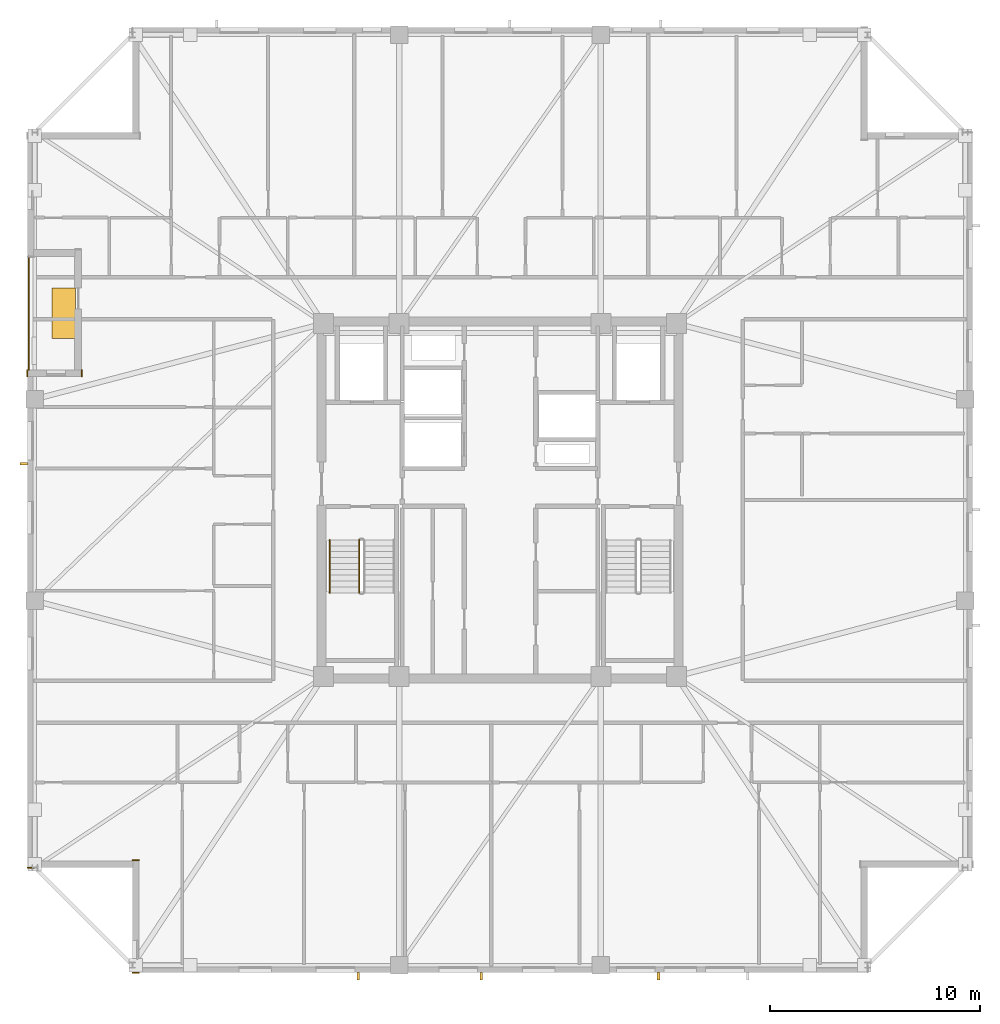
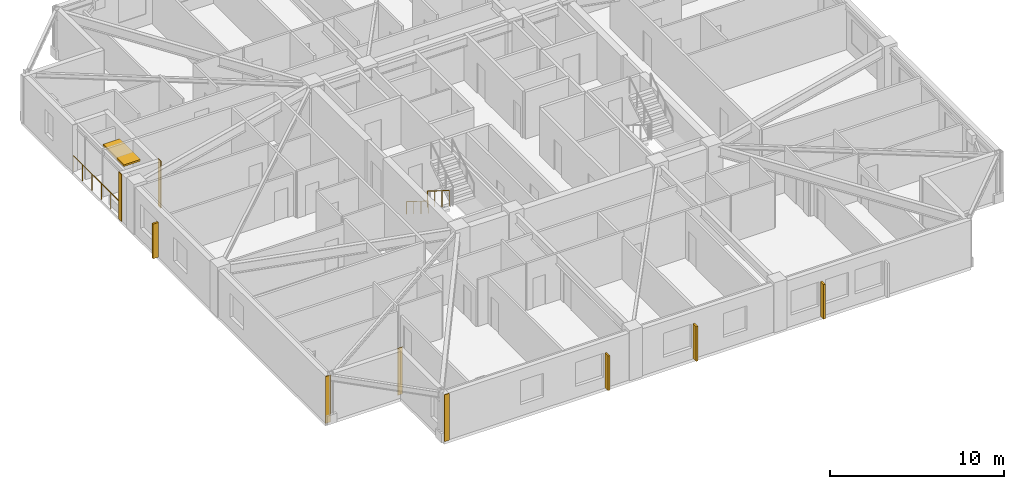
# One storey, part 13 of 17: 5 coverings, 5 shading devices, 3 railings.
"""IFC4 building model written with IfcOpenShell, lengths in metres."""

from ifc_helpers import new_model, si_unit, direction, frame, frame_2d, origin, origin_2d, place, context, subcontext, project, spatial, rectangle, circle, extrude, material, layer, layer_set, type_object, element, save


model = new_model("IFC4")

# Units and contexts
model_context = context("Model", 3, precision=1e-05, world=origin(), true_north=direction((0.0, 1.0)))
body_context = subcontext(model_context, "Body", "Model", "MODEL_VIEW")
ifc_project = project(units=[si_unit("LENGTHUNIT", "METRE"), si_unit("AREAUNIT", "SQUARE_METRE"), si_unit("VOLUMEUNIT", "CUBIC_METRE"), si_unit("PLANEANGLEUNIT", "RADIAN"), si_unit("MASSUNIT", "GRAM", prefix="KILO")], contexts=[model_context])

# Site, building, storey
site_placement = place(None, origin())
site = spatial("IfcSite", under=ifc_project, at=site_placement, CompositionType="ELEMENT")
building_placement = place(site_placement, origin())
building = spatial("IfcBuilding", under=site, at=building_placement, Name="Cairnveth Concourse Tower", CompositionType="ELEMENT")
storey_placement = place(building_placement, frame((0.0, 0.0, 230.5)))
storey = spatial("IfcBuildingStorey", under=building, at=storey_placement, Name="L63", CompositionType="ELEMENT", Elevation=230.5)

# Coverings
ifc_material_1 = material(Name="Dressed Melbourne Bluestone Cladding", Category="masonry")
ifc_layer = layer(ifc_material_1, 0.050048828125)
ifc_layer_set = layer_set([ifc_layer], Name="Dressed Melbourne Bluestone Cladding")
covering_type = type_object("IfcCoveringType", Name="DRESSED BLUESTONE PLINTH CLADDING 50", PredefinedType="CLADDING", material=ifc_layer_set)
for number, where, z_axis, x_axis, name in (
    (1, (34.820068359375, 16.47998046875, 0.0), (0.0, 0.0, 1.0), (-1.0, 0.0, 0.0), "Melbourne Bluestone Corner Quoin L63-953"),
    (2, (34.820068359375, 21.840087890625, 0.0), (0.0, 0.0, 1.0), (-1.0, 0.0, 0.0), "Melbourne Bluestone Corner Quoin L63-954"),
    (3, (29.820068359375, 21.47998046875, 0.0), (0.0, 0.0, 1.0), (-1.0, 0.0, 0.0), "Melbourne Bluestone Corner Quoin L63-955"),
    (4, (29.47998046875, 44.8798828125, 0.0), (0.0, 0.0, 1.0), (0.0, 1.0, 0.0), "Melbourne Bluestone Corner Quoin L63-956"),
    (5, (32.090087890625, 44.8798828125, 0.0), (0.0, 0.0, 1.0), (0.0, 1.0, 0.0), "Melbourne Bluestone Corner Quoin L63-957"),
):
    element("IfcCovering", number, at=place(storey_placement, frame(where, z_axis=z_axis, x_axis=x_axis)), inside=storey, type_object=covering_type, Name=name, PredefinedType="CLADDING", context=body_context, shape_type="SweptSolid", body=[
        extrude(rectangle(XDim=0.320068359375, YDim=0.050048828125, at=frame_2d((0.16015625, 0.0))), origin(), (0.0, 0.0, 1.0), 3.2900390625),
    ])

# Shading devices
ifc_material_2 = material(Name="Architectural Bronze Anodised Aluminium 6063-T6", Category="aluminium")
shading_device_type_1 = type_object("IfcShadingDeviceType", Name="GOTHIC BRONZE VERTICAL LANCET FIN", PredefinedType="USERDEFINED", material=ifc_material_2)
for number, where, z_axis, x_axis, name in (
    (6, (59.546875, 16.324951171875, 0.030029296875), (0.0, 0.0, 1.0), (1.0, 0.0, 0.0), "Gothic Bronze Vertical Fin L63-9-3"),
    (7, (51.096435546875, 16.324951171875, 0.030029296875), (0.0, 0.0, 1.0), (1.0, 0.0, 0.0), "Gothic Bronze Vertical Fin L63-9-5"),
    (8, (45.245849609375, 16.324951171875, 0.030029296875), (0.0, 0.0, 1.0), (1.0, 0.0, 0.0), "Gothic Bronze Vertical Fin L63-9-7"),
    (9, (29.324951171875, 40.73681640625, 0.030029296875), (0.0, 0.0, 1.0), (0.0, 1.0, 0.0), "Gothic Bronze Vertical Fin L63-12-5"),
):
    element("IfcShadingDevice", number, at=place(storey_placement, frame(where, z_axis=z_axis, x_axis=x_axis)), inside=storey, type_object=shading_device_type_1, Name=name, ObjectType="VERTICAL FIN", PredefinedType="USERDEFINED", context=body_context, shape_type="SweptSolid", body=[
        extrude(rectangle(XDim=0.1201171875, YDim=0.360107421875, at=origin_2d()), origin(), (0.0, 0.0, 1.0), 2.43798828125),
    ])
shading_device_type_2 = type_object("IfcShadingDeviceType", Name="SPIRAL TERRACE SUNSHADE CANOPY", PredefinedType="USERDEFINED", material=ifc_material_2)
shading_device_placement = place(storey_placement, frame((31.22998046875, 47.89990234375, 2.31787109375), z_axis=(0.0, 0.0, 1.0), x_axis=(1.0, 0.0, 0.0)))
element("IfcShadingDevice", 10, at=shading_device_placement, inside=storey, type_object=shading_device_type_2, Name="Spiral Terrace Sunshade L63", ObjectType="TERRACE SUNSHADE", PredefinedType="USERDEFINED", context=body_context, shape_type="SweptSolid", body=[
    extrude(rectangle(XDim=1.10009765625, YDim=2.39990234375, at=origin_2d()), origin(), (0.0, 0.0, 1.0), 0.1201171875),
])

# Railings
ifc_material_3 = material(Name="Steel Grade 350", Category="steel")
railing_type_1 = type_object("IfcRailingType", Name="STAIR GUARDRAIL 1150", PredefinedType="GUARDRAIL", material=ifc_material_3)
railing_1_placement = place(storey_placement, frame((45.2900390625, 37.10009765625, 0.175048828125)))
element("IfcRailing", 11, at=railing_1_placement, inside=storey, type_object=railing_type_1, Name="L63 ST-1 stair guard 1", PredefinedType="GUARDRAIL", context=body_context, shape_type="SweptSolid", body=[
    extrude(circle(Radius=0.02392578125, at=origin_2d()), frame((0.0, 0.0, 1.1259765625), z_axis=(0.0, -0.848007534815, 0.529984170421), x_axis=(1.0, 0.0, 0.0)), (0.0, 0.0, 1.0), 2.9716796875),
    extrude(circle(Radius=0.02099609375, at=origin_2d()), origin(), (0.0, 0.0, 1.0), 1.101806640625),
    extrude(circle(Radius=0.02099609375, at=origin_2d()), frame((0.0, -0.840087890625, 0.52490234375)), (0.0, 0.0, 1.0), 1.101806640625),
    extrude(circle(Radius=0.02099609375, at=origin_2d()), frame((0.0, -1.679931640625, 1.050048828125)), (0.0, 0.0, 1.0), 1.101806640625),
    extrude(circle(Radius=0.02099609375, at=origin_2d()), frame((0.0, -2.52001953125, 1.574951171875)), (0.0, 0.0, 1.0), 1.101806640625),
])
railing_type_2 = type_object("IfcRailingType", Name="STAIR WALL HANDRAIL 900", PredefinedType="HANDRAIL", material=ifc_material_3)
railing_2_placement = place(storey_placement, frame((43.889892578125, 37.10009765625, 0.175048828125)))
element("IfcRailing", 12, at=railing_2_placement, inside=storey, type_object=railing_type_2, Name="L63 ST-1 stair handrail 1", PredefinedType="HANDRAIL", context=body_context, shape_type="SweptSolid", body=[
    extrude(circle(Radius=0.02392578125, at=origin_2d()), frame((0.0, 0.0, 0.8759765625), z_axis=(0.0, -0.848007534815, 0.529984170421), x_axis=(1.0, 0.0, 0.0)), (0.0, 0.0, 1.0), 2.9716796875),
    extrude(circle(Radius=0.02099609375, at=origin_2d()), origin(), (0.0, 0.0, 1.0), 0.851806640625),
    extrude(circle(Radius=0.02099609375, at=origin_2d()), frame((0.0, -0.840087890625, 0.52490234375)), (0.0, 0.0, 1.0), 0.851806640625),
    extrude(circle(Radius=0.02099609375, at=origin_2d()), frame((0.0, -1.679931640625, 1.050048828125)), (0.0, 0.0, 1.0), 0.851806640625),
    extrude(circle(Radius=0.02099609375, at=origin_2d()), frame((0.0, -2.52001953125, 1.574951171875)), (0.0, 0.0, 1.0), 0.851806640625),
])
railing_type_3 = type_object("IfcRailingType", Name="TERRACE BRONZE BALUSTRADE 1150", PredefinedType="BALUSTRADE", material=ifc_material_2)
railing_3_placement = place(storey_placement, frame((29.56005859375, 45.199951171875, 0.0)))
element("IfcRailing", 13, at=railing_3_placement, inside=storey, type_object=railing_type_3, Name="Terrace Balustrade RL-L63-TERR", PredefinedType="BALUSTRADE", context=body_context, shape_type="SweptSolid", body=[
    extrude(circle(Radius=0.02490234375, at=origin_2d()), frame((0.0, 0.0, 1.125), z_axis=(0.0, 1.0, 0.0), x_axis=(-1.0, 0.0, 0.0)), (0.0, 0.0, 1.0), 5.400146484375),
    extrude(circle(Radius=0.02099609375, at=origin_2d()), origin(), (0.0, 0.0, 1.0), 1.099853515625),
    extrude(circle(Radius=0.02099609375, at=origin_2d()), frame((0.0, 1.080078125, 0.0)), (0.0, 0.0, 1.0), 1.099853515625),
    extrude(circle(Radius=0.02099609375, at=origin_2d()), frame((0.0, 2.16015625, 0.0)), (0.0, 0.0, 1.0), 1.099853515625),
    extrude(circle(Radius=0.02099609375, at=origin_2d()), frame((0.0, 3.239990234375, 0.0)), (0.0, 0.0, 1.0), 1.099853515625),
    extrude(circle(Radius=0.02099609375, at=origin_2d()), frame((0.0, 4.320068359375, 0.0)), (0.0, 0.0, 1.0), 1.099853515625),
    extrude(circle(Radius=0.02099609375, at=origin_2d()), frame((0.0, 5.400146484375, 0.0)), (0.0, 0.0, 1.0), 1.099853515625),
])

save(model, "model.ifc")
